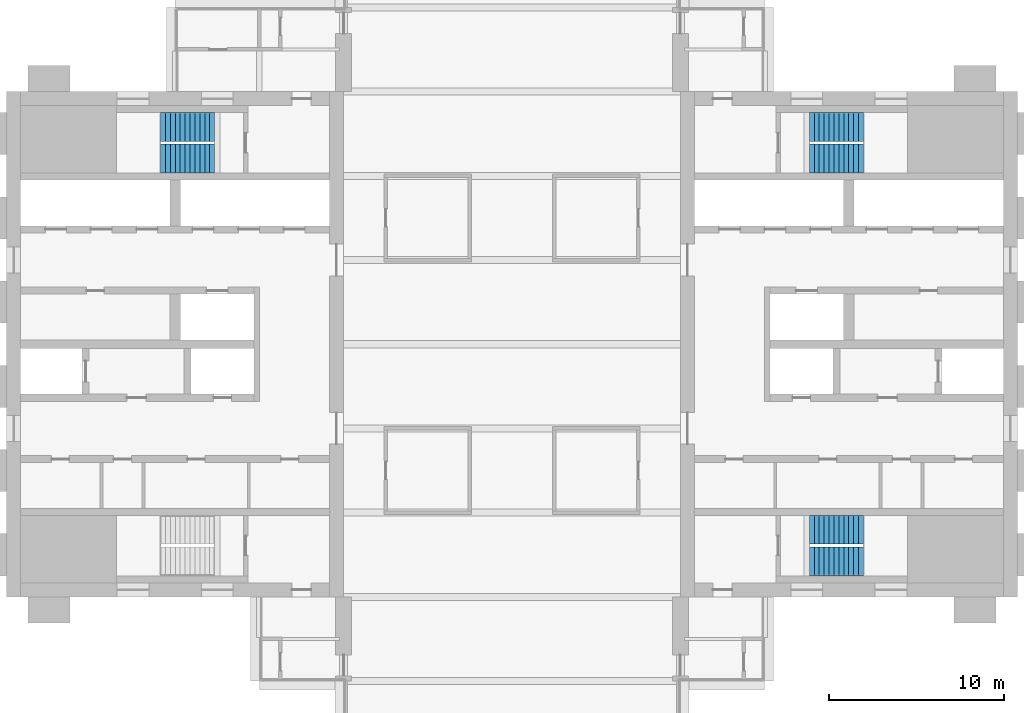
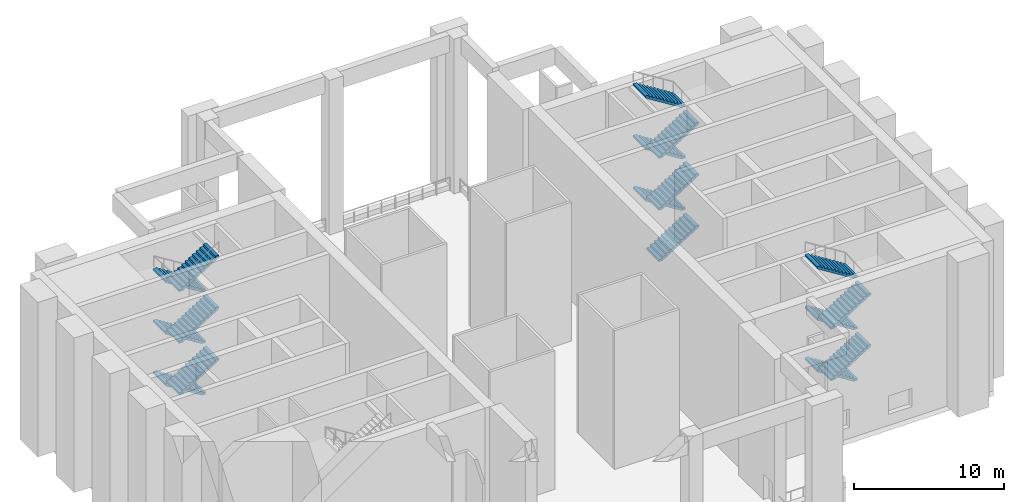
# One storey, part 6 of 8: 17 stair flights, 3 elements without a shape of their own.
"""IFC4 building model written with IfcOpenShell, lengths in metres."""

from ifc_helpers import new_model, si_unit, direction, frame, origin, place, context, subcontext, project, spatial, polyline, outline, extrude, material, type_object, element, aggregate, save


model = new_model("IFC4")

# Units and contexts
model_context = context("Model", 3, precision=1e-05, world=origin(), true_north=direction((0.0, 1.0)))
body_context = subcontext(model_context, "Body", "Model", "MODEL_VIEW")
ifc_project = project(units=[si_unit("LENGTHUNIT", "METRE"), si_unit("AREAUNIT", "SQUARE_METRE"), si_unit("VOLUMEUNIT", "CUBIC_METRE"), si_unit("PLANEANGLEUNIT", "RADIAN"), si_unit("MASSUNIT", "GRAM", prefix="KILO")], contexts=[model_context])

# Site, building, storey
site_placement = place(None, origin())
site = spatial("IfcSite", under=ifc_project, at=site_placement, CompositionType="ELEMENT")
building_placement = place(site_placement, origin())
building = spatial("IfcBuilding", under=site, at=building_placement, Name="Baori Bourse Tower", CompositionType="ELEMENT")
storey_placement = place(building_placement, frame((0.0, 0.0, 269.699951171875)))
storey = spatial("IfcBuildingStorey", under=building, at=storey_placement, Name="L60", CompositionType="ELEMENT", Elevation=269.699951171875)

# Stair, stair flights
ifc_material_1 = material(Name="Concrete f'c 50 MPa", Category="concrete")
stair_type = type_object("IfcStairType", Name="Core stair", PredefinedType="HALF_TURN_STAIR", material=ifc_material_1)
stair_1_placement = place(storey_placement, origin())
stair_1 = element("IfcStair", 1, at=stair_1_placement, inside=storey, type_object=stair_type, Name="L60 Stair WB", PredefinedType="HALF_TURN_STAIR")
ifc_material_2 = material(Name="Concrete f'c 50 MPa", Category="concrete")
stair_flight_type = type_object("IfcStairFlightType", Name="Core stair flight", PredefinedType="STRAIGHT", material=ifc_material_2)
stair_flight_1_placement = place(storey_placement, frame((11.85009765625, 36.375, 0.0), z_axis=(0.0, 0.0, 1.0), x_axis=(-1.0, 0.0, 0.0)))
stair_flight_1 = element("IfcStairFlight", 2, at=stair_flight_1_placement, type_object=stair_flight_type, Name="ST2 flight 1", NumberOfRisers=12, NumberOfTreads=11, PredefinedType="STRAIGHT", RiserHeight=0.175, TreadLength=0.28, context=body_context, shape_type="SweptSolid", body=[
    extrude(outline(polyline([(0.0, 0.0), (0.0, 0.175048828125), (0.280029296875, 0.175048828125), (0.280029296875, 0.35009765625), (0.56005859375, 0.35009765625), (0.56005859375, 0.52490234375), (0.840087890625, 0.52490234375), (0.840087890625, 0.699951171875), (1.1201171875, 0.699951171875), (1.1201171875, 0.875), (1.39990234375, 0.875), (1.39990234375, 1.050048828125), (1.679931640625, 1.050048828125), (1.679931640625, 1.22509765625), (1.9599609375, 1.22509765625), (1.9599609375, 1.39990234375), (2.239990234375, 1.39990234375), (2.239990234375, 1.574951171875), (2.52001953125, 1.574951171875), (2.52001953125, 1.75), (2.800048828125, 1.75), (2.800048828125, 1.925048828125), (3.080078125, 1.925048828125), (3.080078125, 2.10009765625), (3.080078125, 1.748291015625), (0.28271484375, 0.0), (0.0, 0.0)])), frame((0.0, 0.824951171875, 0.0), z_axis=(0.0, -1.0, 0.0), x_axis=(1.0, 0.0, 0.0)), (0.0, 0.0, 1.0), 1.64990234375),
])
stair_flight_2_placement = place(storey_placement, frame((8.77001953125, 34.574951171875, 2.10009765625), z_axis=(0.0, 0.0, 1.0), x_axis=(1.0, 0.0, 0.0)))
stair_flight_2 = element("IfcStairFlight", 3, at=stair_flight_2_placement, type_object=stair_flight_type, Name="ST2 flight 2", NumberOfRisers=12, NumberOfTreads=11, PredefinedType="STRAIGHT", RiserHeight=0.175, TreadLength=0.28, context=body_context, shape_type="SweptSolid", body=[
    extrude(outline(polyline([(0.0, 0.0), (0.0, 0.175048828125), (0.280029296875, 0.175048828125), (0.280029296875, 0.35009765625), (0.56005859375, 0.35009765625), (0.56005859375, 0.52490234375), (0.840087890625, 0.52490234375), (0.840087890625, 0.699951171875), (1.1201171875, 0.699951171875), (1.1201171875, 0.875), (1.39990234375, 0.875), (1.39990234375, 1.050048828125), (1.679931640625, 1.050048828125), (1.679931640625, 1.22509765625), (1.9599609375, 1.22509765625), (1.9599609375, 1.39990234375), (2.239990234375, 1.39990234375), (2.239990234375, 1.574951171875), (2.52001953125, 1.574951171875), (2.52001953125, 1.75), (2.800048828125, 1.75), (2.800048828125, 1.925048828125), (3.080078125, 1.925048828125), (3.080078125, 2.10009765625), (3.080078125, 1.748291015625), (0.28271484375, 0.0), (0.0, 0.0)])), frame((0.0, 0.824951171875, 0.0), z_axis=(0.0, -1.0, 0.0), x_axis=(1.0, 0.0, 0.0)), (0.0, 0.0, 1.0), 1.64990234375),
])
stair_flight_3_placement = place(storey_placement, frame((11.85009765625, 36.375, 4.199951171875), z_axis=(0.0, 0.0, 1.0), x_axis=(-1.0, 0.0, 0.0)))
stair_flight_3 = element("IfcStairFlight", 4, at=stair_flight_3_placement, type_object=stair_flight_type, Name="ST2 flight 3", NumberOfRisers=12, NumberOfTreads=11, PredefinedType="STRAIGHT", RiserHeight=0.175, TreadLength=0.28, context=body_context, shape_type="SweptSolid", body=[
    extrude(outline(polyline([(0.0, 0.0), (0.0, 0.175048828125), (0.280029296875, 0.175048828125), (0.280029296875, 0.35009765625), (0.56005859375, 0.35009765625), (0.56005859375, 0.52490234375), (0.840087890625, 0.52490234375), (0.840087890625, 0.699951171875), (1.1201171875, 0.699951171875), (1.1201171875, 0.875), (1.39990234375, 0.875), (1.39990234375, 1.050048828125), (1.679931640625, 1.050048828125), (1.679931640625, 1.22509765625), (1.9599609375, 1.22509765625), (1.9599609375, 1.39990234375), (2.239990234375, 1.39990234375), (2.239990234375, 1.574951171875), (2.52001953125, 1.574951171875), (2.52001953125, 1.75), (2.800048828125, 1.75), (2.800048828125, 1.925048828125), (3.080078125, 1.925048828125), (3.080078125, 2.10009765625), (3.080078125, 1.748291015625), (0.28271484375, 0.0), (0.0, 0.0)])), frame((0.0, 0.824951171875, 0.0), z_axis=(0.0, -1.0, 0.0), x_axis=(1.0, 0.0, 0.0)), (0.0, 0.0, 1.0), 1.64990234375),
])
stair_flight_4_placement = place(storey_placement, frame((8.77001953125, 34.574951171875, 6.300048828125), z_axis=(0.0, 0.0, 1.0), x_axis=(1.0, 0.0, 0.0)))
stair_flight_4 = element("IfcStairFlight", 5, at=stair_flight_4_placement, type_object=stair_flight_type, Name="ST2 flight 4", NumberOfRisers=12, NumberOfTreads=11, PredefinedType="STRAIGHT", RiserHeight=0.175, TreadLength=0.28, context=body_context, shape_type="SweptSolid", body=[
    extrude(outline(polyline([(0.0, 0.0), (0.0, 0.175048828125), (0.280029296875, 0.175048828125), (0.280029296875, 0.35009765625), (0.56005859375, 0.35009765625), (0.56005859375, 0.52490234375), (0.840087890625, 0.52490234375), (0.840087890625, 0.699951171875), (1.1201171875, 0.699951171875), (1.1201171875, 0.875), (1.39990234375, 0.875), (1.39990234375, 1.050048828125), (1.679931640625, 1.050048828125), (1.679931640625, 1.22509765625), (1.9599609375, 1.22509765625), (1.9599609375, 1.39990234375), (2.239990234375, 1.39990234375), (2.239990234375, 1.574951171875), (2.52001953125, 1.574951171875), (2.52001953125, 1.75), (2.800048828125, 1.75), (2.800048828125, 1.925048828125), (3.080078125, 1.925048828125), (3.080078125, 2.10009765625), (3.080078125, 1.748291015625), (0.28271484375, 0.0), (0.0, 0.0)])), frame((0.0, 0.824951171875, 0.0), z_axis=(0.0, -1.0, 0.0), x_axis=(1.0, 0.0, 0.0)), (0.0, 0.0, 1.0), 1.64990234375),
])
stair_flight_5_placement = place(storey_placement, frame((11.85009765625, 36.375, 8.400146484375), z_axis=(0.0, 0.0, 1.0), x_axis=(-1.0, 0.0, 0.0)))
stair_flight_5 = element("IfcStairFlight", 6, at=stair_flight_5_placement, type_object=stair_flight_type, Name="ST2 flight 5", NumberOfRisers=12, NumberOfTreads=11, PredefinedType="STRAIGHT", RiserHeight=0.175, TreadLength=0.28, context=body_context, shape_type="SweptSolid", body=[
    extrude(outline(polyline([(0.0, 0.0), (0.0, 0.175048828125), (0.280029296875, 0.175048828125), (0.280029296875, 0.35009765625), (0.56005859375, 0.35009765625), (0.56005859375, 0.52490234375), (0.840087890625, 0.52490234375), (0.840087890625, 0.699951171875), (1.1201171875, 0.699951171875), (1.1201171875, 0.875), (1.39990234375, 0.875), (1.39990234375, 1.050048828125), (1.679931640625, 1.050048828125), (1.679931640625, 1.22509765625), (1.9599609375, 1.22509765625), (1.9599609375, 1.39990234375), (2.239990234375, 1.39990234375), (2.239990234375, 1.574951171875), (2.52001953125, 1.574951171875), (2.52001953125, 1.75), (2.800048828125, 1.75), (2.800048828125, 1.925048828125), (3.080078125, 1.925048828125), (3.080078125, 2.10009765625), (3.080078125, 1.748291015625), (0.28271484375, 0.0), (0.0, 0.0)])), frame((0.0, 0.824951171875, 0.0), z_axis=(0.0, -1.0, 0.0), x_axis=(1.0, 0.0, 0.0)), (0.0, 0.0, 1.0), 1.64990234375),
])
stair_flight_6_placement = place(storey_placement, frame((8.77001953125, 34.574951171875, 10.5), z_axis=(0.0, 0.0, 1.0), x_axis=(1.0, 0.0, 0.0)))
stair_flight_6 = element("IfcStairFlight", 7, at=stair_flight_6_placement, type_object=stair_flight_type, Name="ST2 flight 6", NumberOfRisers=12, NumberOfTreads=11, PredefinedType="STRAIGHT", RiserHeight=0.175, TreadLength=0.28, context=body_context, shape_type="SweptSolid", body=[
    extrude(outline(polyline([(0.0, 0.0), (0.0, 0.175048828125), (0.280029296875, 0.175048828125), (0.280029296875, 0.35009765625), (0.56005859375, 0.35009765625), (0.56005859375, 0.52490234375), (0.840087890625, 0.52490234375), (0.840087890625, 0.699951171875), (1.1201171875, 0.699951171875), (1.1201171875, 0.875), (1.39990234375, 0.875), (1.39990234375, 1.050048828125), (1.679931640625, 1.050048828125), (1.679931640625, 1.22509765625), (1.9599609375, 1.22509765625), (1.9599609375, 1.39990234375), (2.239990234375, 1.39990234375), (2.239990234375, 1.574951171875), (2.52001953125, 1.574951171875), (2.52001953125, 1.75), (2.800048828125, 1.75), (2.800048828125, 1.925048828125), (3.080078125, 1.925048828125), (3.080078125, 2.10009765625), (3.080078125, 1.748291015625), (0.28271484375, 0.0), (0.0, 0.0)])), frame((0.0, 0.824951171875, 0.0), z_axis=(0.0, -1.0, 0.0), x_axis=(1.0, 0.0, 0.0)), (0.0, 0.0, 1.0), 1.64990234375),
])
aggregate(stair_1, [stair_flight_1, stair_flight_2, stair_flight_3, stair_flight_4, stair_flight_5, stair_flight_6])

stair_2_placement = place(storey_placement, origin())
stair_2 = element("IfcStair", 8, at=stair_2_placement, inside=storey, type_object=stair_type, Name="L60 Stair EA", PredefinedType="HALF_TURN_STAIR")
stair_flight_7_placement = place(storey_placement, frame((48.830078125, 13.425048828125, 2.10009765625), z_axis=(0.0, 0.0, 1.0), x_axis=(-1.0, 0.0, 0.0)))
stair_flight_7 = element("IfcStairFlight", 9, at=stair_flight_7_placement, type_object=stair_flight_type, Name="ST3 flight 2", NumberOfRisers=12, NumberOfTreads=11, PredefinedType="STRAIGHT", RiserHeight=0.175, TreadLength=0.28, context=body_context, shape_type="SweptSolid", body=[
    extrude(outline(polyline([(0.0, 0.0), (0.0, 0.175048828125), (0.280029296875, 0.175048828125), (0.280029296875, 0.35009765625), (0.56005859375, 0.35009765625), (0.56005859375, 0.52490234375), (0.840087890625, 0.52490234375), (0.840087890625, 0.699951171875), (1.1201171875, 0.699951171875), (1.1201171875, 0.875), (1.39990234375, 0.875), (1.39990234375, 1.050048828125), (1.679931640625, 1.050048828125), (1.679931640625, 1.22509765625), (1.9599609375, 1.22509765625), (1.9599609375, 1.39990234375), (2.239990234375, 1.39990234375), (2.239990234375, 1.574951171875), (2.52001953125, 1.574951171875), (2.52001953125, 1.75), (2.800048828125, 1.75), (2.800048828125, 1.925048828125), (3.080078125, 1.925048828125), (3.080078125, 2.10009765625), (3.080078125, 1.748291015625), (0.28271484375, 0.0), (0.0, 0.0)])), frame((0.0, 0.824951171875, 0.0), z_axis=(0.0, -1.0, 0.0), x_axis=(1.0, 0.0, 0.0)), (0.0, 0.0, 1.0), 1.64990234375),
])
stair_flight_8_placement = place(storey_placement, frame((45.75, 11.625, 4.199951171875), z_axis=(0.0, 0.0, 1.0), x_axis=(1.0, 0.0, 0.0)))
stair_flight_8 = element("IfcStairFlight", 10, at=stair_flight_8_placement, type_object=stair_flight_type, Name="ST3 flight 3", NumberOfRisers=12, NumberOfTreads=11, PredefinedType="STRAIGHT", RiserHeight=0.175, TreadLength=0.28, context=body_context, shape_type="SweptSolid", body=[
    extrude(outline(polyline([(0.0, 0.0), (0.0, 0.175048828125), (0.280029296875, 0.175048828125), (0.280029296875, 0.35009765625), (0.56005859375, 0.35009765625), (0.56005859375, 0.52490234375), (0.840087890625, 0.52490234375), (0.840087890625, 0.699951171875), (1.1201171875, 0.699951171875), (1.1201171875, 0.875), (1.39990234375, 0.875), (1.39990234375, 1.050048828125), (1.679931640625, 1.050048828125), (1.679931640625, 1.22509765625), (1.9599609375, 1.22509765625), (1.9599609375, 1.39990234375), (2.239990234375, 1.39990234375), (2.239990234375, 1.574951171875), (2.52001953125, 1.574951171875), (2.52001953125, 1.75), (2.800048828125, 1.75), (2.800048828125, 1.925048828125), (3.080078125, 1.925048828125), (3.080078125, 2.10009765625), (3.080078125, 1.748291015625), (0.28271484375, 0.0), (0.0, 0.0)])), frame((0.0, 0.824951171875, 0.0), z_axis=(0.0, -1.0, 0.0), x_axis=(1.0, 0.0, 0.0)), (0.0, 0.0, 1.0), 1.64990234375),
])
stair_flight_9_placement = place(storey_placement, frame((48.830078125, 13.425048828125, 6.300048828125), z_axis=(0.0, 0.0, 1.0), x_axis=(-1.0, 0.0, 0.0)))
stair_flight_9 = element("IfcStairFlight", 11, at=stair_flight_9_placement, type_object=stair_flight_type, Name="ST3 flight 4", NumberOfRisers=12, NumberOfTreads=11, PredefinedType="STRAIGHT", RiserHeight=0.175, TreadLength=0.28, context=body_context, shape_type="SweptSolid", body=[
    extrude(outline(polyline([(0.0, 0.0), (0.0, 0.175048828125), (0.280029296875, 0.175048828125), (0.280029296875, 0.35009765625), (0.56005859375, 0.35009765625), (0.56005859375, 0.52490234375), (0.840087890625, 0.52490234375), (0.840087890625, 0.699951171875), (1.1201171875, 0.699951171875), (1.1201171875, 0.875), (1.39990234375, 0.875), (1.39990234375, 1.050048828125), (1.679931640625, 1.050048828125), (1.679931640625, 1.22509765625), (1.9599609375, 1.22509765625), (1.9599609375, 1.39990234375), (2.239990234375, 1.39990234375), (2.239990234375, 1.574951171875), (2.52001953125, 1.574951171875), (2.52001953125, 1.75), (2.800048828125, 1.75), (2.800048828125, 1.925048828125), (3.080078125, 1.925048828125), (3.080078125, 2.10009765625), (3.080078125, 1.748291015625), (0.28271484375, 0.0), (0.0, 0.0)])), frame((0.0, 0.824951171875, 0.0), z_axis=(0.0, -1.0, 0.0), x_axis=(1.0, 0.0, 0.0)), (0.0, 0.0, 1.0), 1.64990234375),
])
stair_flight_10_placement = place(storey_placement, frame((45.75, 11.625, 8.400146484375), z_axis=(0.0, 0.0, 1.0), x_axis=(1.0, 0.0, 0.0)))
stair_flight_10 = element("IfcStairFlight", 12, at=stair_flight_10_placement, type_object=stair_flight_type, Name="ST3 flight 5", NumberOfRisers=12, NumberOfTreads=11, PredefinedType="STRAIGHT", RiserHeight=0.175, TreadLength=0.28, context=body_context, shape_type="SweptSolid", body=[
    extrude(outline(polyline([(0.0, 0.0), (0.0, 0.175048828125), (0.280029296875, 0.175048828125), (0.280029296875, 0.35009765625), (0.56005859375, 0.35009765625), (0.56005859375, 0.52490234375), (0.840087890625, 0.52490234375), (0.840087890625, 0.699951171875), (1.1201171875, 0.699951171875), (1.1201171875, 0.875), (1.39990234375, 0.875), (1.39990234375, 1.050048828125), (1.679931640625, 1.050048828125), (1.679931640625, 1.22509765625), (1.9599609375, 1.22509765625), (1.9599609375, 1.39990234375), (2.239990234375, 1.39990234375), (2.239990234375, 1.574951171875), (2.52001953125, 1.574951171875), (2.52001953125, 1.75), (2.800048828125, 1.75), (2.800048828125, 1.925048828125), (3.080078125, 1.925048828125), (3.080078125, 2.10009765625), (3.080078125, 1.748291015625), (0.28271484375, 0.0), (0.0, 0.0)])), frame((0.0, 0.824951171875, 0.0), z_axis=(0.0, -1.0, 0.0), x_axis=(1.0, 0.0, 0.0)), (0.0, 0.0, 1.0), 1.64990234375),
])
stair_flight_11_placement = place(storey_placement, frame((48.830078125, 13.425048828125, 10.5), z_axis=(0.0, 0.0, 1.0), x_axis=(-1.0, 0.0, 0.0)))
stair_flight_11 = element("IfcStairFlight", 13, at=stair_flight_11_placement, type_object=stair_flight_type, Name="ST3 flight 6", NumberOfRisers=12, NumberOfTreads=11, PredefinedType="STRAIGHT", RiserHeight=0.175, TreadLength=0.28, context=body_context, shape_type="SweptSolid", body=[
    extrude(outline(polyline([(0.0, 0.0), (0.0, 0.175048828125), (0.280029296875, 0.175048828125), (0.280029296875, 0.35009765625), (0.56005859375, 0.35009765625), (0.56005859375, 0.52490234375), (0.840087890625, 0.52490234375), (0.840087890625, 0.699951171875), (1.1201171875, 0.699951171875), (1.1201171875, 0.875), (1.39990234375, 0.875), (1.39990234375, 1.050048828125), (1.679931640625, 1.050048828125), (1.679931640625, 1.22509765625), (1.9599609375, 1.22509765625), (1.9599609375, 1.39990234375), (2.239990234375, 1.39990234375), (2.239990234375, 1.574951171875), (2.52001953125, 1.574951171875), (2.52001953125, 1.75), (2.800048828125, 1.75), (2.800048828125, 1.925048828125), (3.080078125, 1.925048828125), (3.080078125, 2.10009765625), (3.080078125, 1.748291015625), (0.28271484375, 0.0), (0.0, 0.0)])), frame((0.0, 0.824951171875, 0.0), z_axis=(0.0, -1.0, 0.0), x_axis=(1.0, 0.0, 0.0)), (0.0, 0.0, 1.0), 1.64990234375),
])
aggregate(stair_2, [stair_flight_7, stair_flight_8, stair_flight_9, stair_flight_10, stair_flight_11])

stair_3_placement = place(storey_placement, origin())
stair_3 = element("IfcStair", 14, at=stair_3_placement, inside=storey, type_object=stair_type, Name="L60 Stair EB", PredefinedType="HALF_TURN_STAIR")
stair_flight_12_placement = place(storey_placement, frame((45.75, 34.574951171875, 0.0), z_axis=(0.0, 0.0, 1.0), x_axis=(1.0, 0.0, 0.0)))
stair_flight_12 = element("IfcStairFlight", 15, at=stair_flight_12_placement, type_object=stair_flight_type, Name="ST4 flight 1", NumberOfRisers=12, NumberOfTreads=11, PredefinedType="STRAIGHT", RiserHeight=0.175, TreadLength=0.28, context=body_context, shape_type="SweptSolid", body=[
    extrude(outline(polyline([(0.0, 0.0), (0.0, 0.175048828125), (0.280029296875, 0.175048828125), (0.280029296875, 0.35009765625), (0.56005859375, 0.35009765625), (0.56005859375, 0.52490234375), (0.840087890625, 0.52490234375), (0.840087890625, 0.699951171875), (1.1201171875, 0.699951171875), (1.1201171875, 0.875), (1.39990234375, 0.875), (1.39990234375, 1.050048828125), (1.679931640625, 1.050048828125), (1.679931640625, 1.22509765625), (1.9599609375, 1.22509765625), (1.9599609375, 1.39990234375), (2.239990234375, 1.39990234375), (2.239990234375, 1.574951171875), (2.52001953125, 1.574951171875), (2.52001953125, 1.75), (2.800048828125, 1.75), (2.800048828125, 1.925048828125), (3.080078125, 1.925048828125), (3.080078125, 2.10009765625), (3.080078125, 1.748291015625), (0.28271484375, 0.0), (0.0, 0.0)])), frame((0.0, 0.824951171875, 0.0), z_axis=(0.0, -1.0, 0.0), x_axis=(1.0, 0.0, 0.0)), (0.0, 0.0, 1.0), 1.64990234375),
])
stair_flight_13_placement = place(storey_placement, frame((48.830078125, 36.375, 2.10009765625), z_axis=(0.0, 0.0, 1.0), x_axis=(-1.0, 0.0, 0.0)))
stair_flight_13 = element("IfcStairFlight", 16, at=stair_flight_13_placement, type_object=stair_flight_type, Name="ST4 flight 2", NumberOfRisers=12, NumberOfTreads=11, PredefinedType="STRAIGHT", RiserHeight=0.175, TreadLength=0.28, context=body_context, shape_type="SweptSolid", body=[
    extrude(outline(polyline([(0.0, 0.0), (0.0, 0.175048828125), (0.280029296875, 0.175048828125), (0.280029296875, 0.35009765625), (0.56005859375, 0.35009765625), (0.56005859375, 0.52490234375), (0.840087890625, 0.52490234375), (0.840087890625, 0.699951171875), (1.1201171875, 0.699951171875), (1.1201171875, 0.875), (1.39990234375, 0.875), (1.39990234375, 1.050048828125), (1.679931640625, 1.050048828125), (1.679931640625, 1.22509765625), (1.9599609375, 1.22509765625), (1.9599609375, 1.39990234375), (2.239990234375, 1.39990234375), (2.239990234375, 1.574951171875), (2.52001953125, 1.574951171875), (2.52001953125, 1.75), (2.800048828125, 1.75), (2.800048828125, 1.925048828125), (3.080078125, 1.925048828125), (3.080078125, 2.10009765625), (3.080078125, 1.748291015625), (0.28271484375, 0.0), (0.0, 0.0)])), frame((0.0, 0.824951171875, 0.0), z_axis=(0.0, -1.0, 0.0), x_axis=(1.0, 0.0, 0.0)), (0.0, 0.0, 1.0), 1.64990234375),
])
stair_flight_14_placement = place(storey_placement, frame((45.75, 34.574951171875, 4.199951171875), z_axis=(0.0, 0.0, 1.0), x_axis=(1.0, 0.0, 0.0)))
stair_flight_14 = element("IfcStairFlight", 17, at=stair_flight_14_placement, type_object=stair_flight_type, Name="ST4 flight 3", NumberOfRisers=12, NumberOfTreads=11, PredefinedType="STRAIGHT", RiserHeight=0.175, TreadLength=0.28, context=body_context, shape_type="SweptSolid", body=[
    extrude(outline(polyline([(0.0, 0.0), (0.0, 0.175048828125), (0.280029296875, 0.175048828125), (0.280029296875, 0.35009765625), (0.56005859375, 0.35009765625), (0.56005859375, 0.52490234375), (0.840087890625, 0.52490234375), (0.840087890625, 0.699951171875), (1.1201171875, 0.699951171875), (1.1201171875, 0.875), (1.39990234375, 0.875), (1.39990234375, 1.050048828125), (1.679931640625, 1.050048828125), (1.679931640625, 1.22509765625), (1.9599609375, 1.22509765625), (1.9599609375, 1.39990234375), (2.239990234375, 1.39990234375), (2.239990234375, 1.574951171875), (2.52001953125, 1.574951171875), (2.52001953125, 1.75), (2.800048828125, 1.75), (2.800048828125, 1.925048828125), (3.080078125, 1.925048828125), (3.080078125, 2.10009765625), (3.080078125, 1.748291015625), (0.28271484375, 0.0), (0.0, 0.0)])), frame((0.0, 0.824951171875, 0.0), z_axis=(0.0, -1.0, 0.0), x_axis=(1.0, 0.0, 0.0)), (0.0, 0.0, 1.0), 1.64990234375),
])
stair_flight_15_placement = place(storey_placement, frame((48.830078125, 36.375, 6.300048828125), z_axis=(0.0, 0.0, 1.0), x_axis=(-1.0, 0.0, 0.0)))
stair_flight_15 = element("IfcStairFlight", 18, at=stair_flight_15_placement, type_object=stair_flight_type, Name="ST4 flight 4", NumberOfRisers=12, NumberOfTreads=11, PredefinedType="STRAIGHT", RiserHeight=0.175, TreadLength=0.28, context=body_context, shape_type="SweptSolid", body=[
    extrude(outline(polyline([(0.0, 0.0), (0.0, 0.175048828125), (0.280029296875, 0.175048828125), (0.280029296875, 0.35009765625), (0.56005859375, 0.35009765625), (0.56005859375, 0.52490234375), (0.840087890625, 0.52490234375), (0.840087890625, 0.699951171875), (1.1201171875, 0.699951171875), (1.1201171875, 0.875), (1.39990234375, 0.875), (1.39990234375, 1.050048828125), (1.679931640625, 1.050048828125), (1.679931640625, 1.22509765625), (1.9599609375, 1.22509765625), (1.9599609375, 1.39990234375), (2.239990234375, 1.39990234375), (2.239990234375, 1.574951171875), (2.52001953125, 1.574951171875), (2.52001953125, 1.75), (2.800048828125, 1.75), (2.800048828125, 1.925048828125), (3.080078125, 1.925048828125), (3.080078125, 2.10009765625), (3.080078125, 1.748291015625), (0.28271484375, 0.0), (0.0, 0.0)])), frame((0.0, 0.824951171875, 0.0), z_axis=(0.0, -1.0, 0.0), x_axis=(1.0, 0.0, 0.0)), (0.0, 0.0, 1.0), 1.64990234375),
])
stair_flight_16_placement = place(storey_placement, frame((45.75, 34.574951171875, 8.400146484375), z_axis=(0.0, 0.0, 1.0), x_axis=(1.0, 0.0, 0.0)))
stair_flight_16 = element("IfcStairFlight", 19, at=stair_flight_16_placement, type_object=stair_flight_type, Name="ST4 flight 5", NumberOfRisers=12, NumberOfTreads=11, PredefinedType="STRAIGHT", RiserHeight=0.175, TreadLength=0.28, context=body_context, shape_type="SweptSolid", body=[
    extrude(outline(polyline([(0.0, 0.0), (0.0, 0.175048828125), (0.280029296875, 0.175048828125), (0.280029296875, 0.35009765625), (0.56005859375, 0.35009765625), (0.56005859375, 0.52490234375), (0.840087890625, 0.52490234375), (0.840087890625, 0.699951171875), (1.1201171875, 0.699951171875), (1.1201171875, 0.875), (1.39990234375, 0.875), (1.39990234375, 1.050048828125), (1.679931640625, 1.050048828125), (1.679931640625, 1.22509765625), (1.9599609375, 1.22509765625), (1.9599609375, 1.39990234375), (2.239990234375, 1.39990234375), (2.239990234375, 1.574951171875), (2.52001953125, 1.574951171875), (2.52001953125, 1.75), (2.800048828125, 1.75), (2.800048828125, 1.925048828125), (3.080078125, 1.925048828125), (3.080078125, 2.10009765625), (3.080078125, 1.748291015625), (0.28271484375, 0.0), (0.0, 0.0)])), frame((0.0, 0.824951171875, 0.0), z_axis=(0.0, -1.0, 0.0), x_axis=(1.0, 0.0, 0.0)), (0.0, 0.0, 1.0), 1.64990234375),
])
stair_flight_17_placement = place(storey_placement, frame((48.830078125, 36.375, 10.5), z_axis=(0.0, 0.0, 1.0), x_axis=(-1.0, 0.0, 0.0)))
stair_flight_17 = element("IfcStairFlight", 20, at=stair_flight_17_placement, type_object=stair_flight_type, Name="ST4 flight 6", NumberOfRisers=12, NumberOfTreads=11, PredefinedType="STRAIGHT", RiserHeight=0.175, TreadLength=0.28, context=body_context, shape_type="SweptSolid", body=[
    extrude(outline(polyline([(0.0, 0.0), (0.0, 0.175048828125), (0.280029296875, 0.175048828125), (0.280029296875, 0.35009765625), (0.56005859375, 0.35009765625), (0.56005859375, 0.52490234375), (0.840087890625, 0.52490234375), (0.840087890625, 0.699951171875), (1.1201171875, 0.699951171875), (1.1201171875, 0.875), (1.39990234375, 0.875), (1.39990234375, 1.050048828125), (1.679931640625, 1.050048828125), (1.679931640625, 1.22509765625), (1.9599609375, 1.22509765625), (1.9599609375, 1.39990234375), (2.239990234375, 1.39990234375), (2.239990234375, 1.574951171875), (2.52001953125, 1.574951171875), (2.52001953125, 1.75), (2.800048828125, 1.75), (2.800048828125, 1.925048828125), (3.080078125, 1.925048828125), (3.080078125, 2.10009765625), (3.080078125, 1.748291015625), (0.28271484375, 0.0), (0.0, 0.0)])), frame((0.0, 0.824951171875, 0.0), z_axis=(0.0, -1.0, 0.0), x_axis=(1.0, 0.0, 0.0)), (0.0, 0.0, 1.0), 1.64990234375),
])
aggregate(stair_3, [stair_flight_12, stair_flight_13, stair_flight_14, stair_flight_15, stair_flight_16, stair_flight_17])

save(model, "model.ifc")
